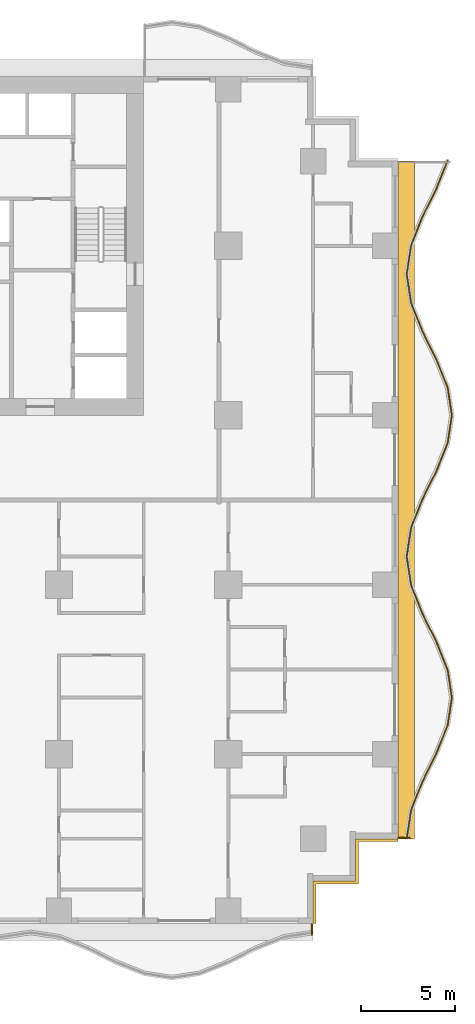
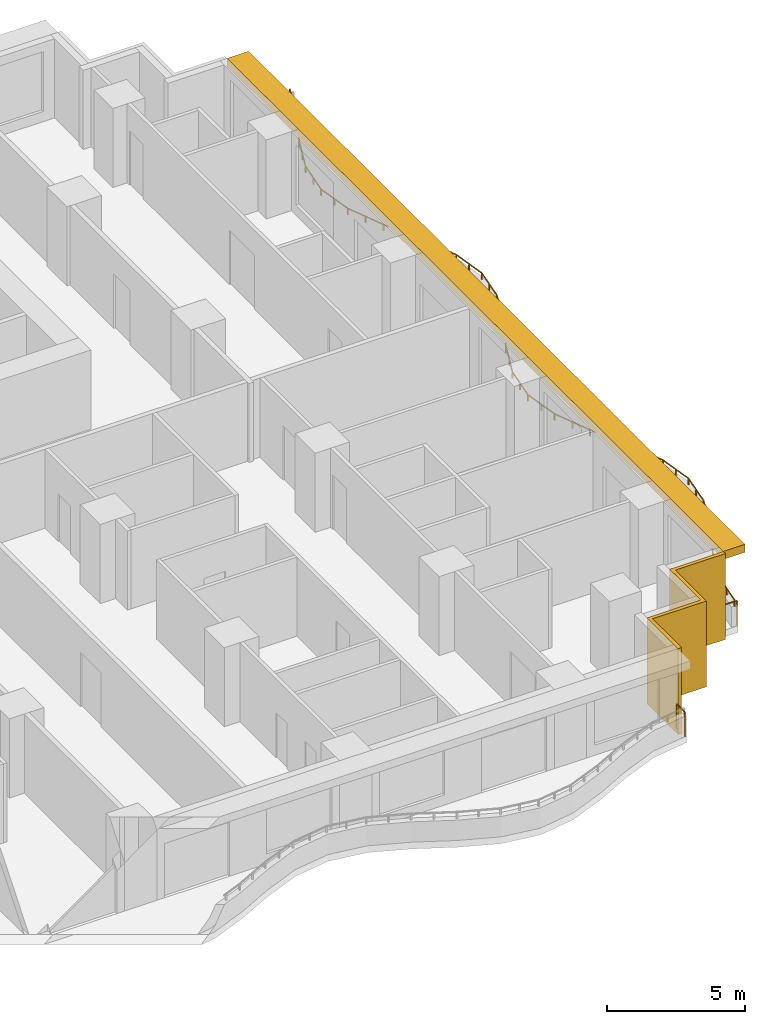
# One storey, part 10 of 13: 3 railings, 2 shading devices.
"""IFC4 building model written with IfcOpenShell, lengths in metres."""

import ifcopenshell
import ifcopenshell.guid

model = None  # the IFC model being written
_history = None  # IfcOwnerHistory: only IFC2X3 demands one
_inside = {}  # id of a spatial element -> (the spatial element, [elements in it])
_under = {}  # id of a project, library or spatial element -> (it, [spatial elements below it])
_declared = {}  # id of a project -> (the project, [libraries it declares])
_typed = {}  # id of a type object -> (the type object, [elements of that type])
_made_of = {}  # id of a material, layer set ... -> (it, [elements and type objects made of it])


def new_model(schema):
    """Start an empty IFC model of exactly this schema.

    Asked for "IFC4X3", IfcOpenShell would pick the latest addendum, in which some entities
    have other attributes; the version numbers below select the first issue.
    IFC2X3 requires an IfcOwnerHistory on every rooted entity: one is made here for all.
    """
    global model, _history
    if schema == "IFC4X3":
        model = ifcopenshell.file(schema_version=(4, 3, 0, 0))
    else:
        model = ifcopenshell.file(schema=schema)
    _inside.clear()
    _under.clear()
    _declared.clear()
    _typed.clear()
    _made_of.clear()
    _history = None
    if model.schema == "IFC2X3":
        org = make("IfcOrganization", Name="unknown")
        user = make(
            "IfcPersonAndOrganization",
            ThePerson=make("IfcPerson", FamilyName="unknown"),
            TheOrganization=org,
        )
        app = make(
            "IfcApplication",
            ApplicationDeveloper=org,
            Version="unknown",
            ApplicationFullName="unknown",
            ApplicationIdentifier="unknown",
        )
        _history = make(
            "IfcOwnerHistory",
            OwningUser=user,
            OwningApplication=app,
            ChangeAction="ADDED",
            CreationDate=0,
        )
    return model


def make(cls, **values):
    """One entity of the class cls with the attributes given. An attribute that is None is left unset."""
    return model.create_entity(
        cls, **{name: value for name, value in values.items() if value is not None}
    )


def rooted(cls, **values):
    """An entity with a GlobalId (a new one), such as an element, a storey or a relation."""
    return make(cls, GlobalId=ifcopenshell.guid.new(), OwnerHistory=_history, **values)


def si_unit(unit_type, name, prefix=None):
    """IfcSIUnit, for example si_unit("LENGTHUNIT", "METRE", prefix="MILLI")."""
    return make("IfcSIUnit", UnitType=unit_type, Prefix=prefix, Name=name)


def assignment(units):
    """IfcUnitAssignment: the units of a project."""
    return None if units is None else make("IfcUnitAssignment", Units=units)


def point(xyz):
    """IfcCartesianPoint."""
    return None if xyz is None else make("IfcCartesianPoint", Coordinates=xyz)


def direction(xyz):
    """IfcDirection."""
    return None if xyz is None else make("IfcDirection", DirectionRatios=xyz)


def frame(location, z_axis=None, x_axis=None):
    """IfcAxis2Placement3D, a coordinate frame: its origin and axes. An axis left out is left unset."""
    return make(
        "IfcAxis2Placement3D",
        Location=point(location),
        Axis=direction(z_axis),
        RefDirection=direction(x_axis),
    )


def frame_2d(location, x_axis=None):
    """IfcAxis2Placement2D, a coordinate frame in the plane: its origin and x axis."""
    return make(
        "IfcAxis2Placement2D", Location=point(location), RefDirection=direction(x_axis)
    )


def origin():
    """The frame at (0, 0, 0) with its axes left unset."""
    return frame((0.0, 0.0, 0.0))


def origin_2d():
    """The frame at (0, 0) in the plane with its x axis left unset."""
    return frame_2d((0.0, 0.0))


def place(relative_to, where):
    """IfcLocalPlacement: puts the frame where relative to a parent placement (None: the world)."""
    return make(
        "IfcLocalPlacement", PlacementRelTo=relative_to, RelativePlacement=where
    )


def context(
    kind, dimensions, precision=None, world=None, true_north=None, identifier=None
):
    """IfcGeometricRepresentationContext, for example the 3D "Model" context."""
    return make(
        "IfcGeometricRepresentationContext",
        ContextIdentifier=identifier,
        ContextType=kind,
        CoordinateSpaceDimension=dimensions,
        Precision=precision,
        WorldCoordinateSystem=world,
        TrueNorth=true_north,
    )


def subcontext(parent, identifier, kind, view, scale=None):
    """IfcGeometricRepresentationSubContext, for example "Body" below "Model"."""
    return make(
        "IfcGeometricRepresentationSubContext",
        ContextIdentifier=identifier,
        ContextType=kind,
        ParentContext=parent,
        TargetScale=scale,
        TargetView=view,
    )


def project(units=None, contexts=None):
    """IfcProject with its units and contexts."""
    return rooted(
        "IfcProject",
        Name="project",
        RepresentationContexts=contexts,
        UnitsInContext=assignment(units),
    )


def spatial(cls, under=None, at=None, **own):
    """A site, building, storey or space (cls), placed at a placement, below another one or the project."""
    s = rooted(cls, ObjectPlacement=at, **own)
    if under is not None:
        _under.setdefault(under.id(), (under, []))[1].append(s)
    return s


def polyline(points):
    """IfcPolyline through the points."""
    return make("IfcPolyline", Points=[point(p) for p in points])


def profile(cls, at=None, kind="AREA", **sizes):
    """A parametric profile (cls). Its sizes go by their IFC names, for example OverallWidth=200.0."""
    return make(cls, ProfileType=kind, Position=at, **sizes)


def rectangle(**sizes):
    """IfcRectangleProfileDef."""
    return profile("IfcRectangleProfileDef", **sizes)


def outline(outer, holes=None, kind="AREA"):
    """IfcArbitraryClosedProfileDef: a profile drawn as a closed curve; with holes, ...WithVoids."""
    if holes is None:
        return make("IfcArbitraryClosedProfileDef", ProfileType=kind, OuterCurve=outer)
    return make(
        "IfcArbitraryProfileDefWithVoids",
        ProfileType=kind,
        OuterCurve=outer,
        InnerCurves=holes,
    )


def extrude(swept, where, along, depth):
    """IfcExtrudedAreaSolid: the profile swept, set in the frame where, extruded along a direction by depth."""
    return make(
        "IfcExtrudedAreaSolid",
        SweptArea=swept,
        Position=where,
        ExtrudedDirection=direction(along),
        Depth=depth,
    )


def shape(context_of_items, identifier, shape_type, items):
    """IfcShapeRepresentation: the items that make up one representation, for example the "Body"."""
    return make(
        "IfcShapeRepresentation",
        ContextOfItems=context_of_items,
        RepresentationIdentifier=identifier,
        RepresentationType=shape_type,
        Items=items,
    )


def material(Name=None, Category=None):
    """IfcMaterial."""
    return make("IfcMaterial", Name=Name, Category=Category)


def layer(
    of_material, thickness, ventilated=None, Name=None, Category=None, Priority=None
):
    """IfcMaterialLayer: one layer of a wall or slab, of a material (None: an air gap)."""
    return make(
        "IfcMaterialLayer",
        Material=of_material,
        LayerThickness=thickness,
        IsVentilated=ventilated,
        Name=Name,
        Category=Category,
        Priority=Priority,
    )


def layer_set(layers, Name=None):
    """IfcMaterialLayerSet."""
    return make("IfcMaterialLayerSet", MaterialLayers=layers, LayerSetName=Name)


def made_of(thing, what):
    """Note that an element or type object is made of a material, layer set ...; save() writes the relation."""
    if what is not None:
        _made_of.setdefault(what.id(), (what, []))[1].append(thing)
    return thing


def type_object(cls, material=None, **own):
    """A type object (cls), such as IfcWallType, which elements share."""
    return made_of(rooted(cls, **own), material)


def element(
    cls,
    number,
    at=None,
    inside=None,
    cuts=None,
    type_object=None,
    material=None,
    context=None,
    identifier="Body",
    shape_type=None,
    held_by="IfcProductDefinitionShape",
    body=None,
    shapes=None,
    **own,
):
    """One element of the class cls, such as IfcWall. Its Tag is "e" and its number.

    at: its placement. inside: the storey or other place that contains it. cuts: it is an
    opening in that element (IfcRelVoidsElement). A single representation is given by context,
    identifier, shape_type and body (its items); several are given by shapes. held_by: the class
    of the entity that holds the representations. save() writes the other relations.
    """
    e = rooted(cls, Tag="e%d" % number, ObjectPlacement=at, **own)
    if body is not None:
        shapes = [shape(context, identifier, shape_type, body)]
    if shapes is not None:
        e.Representation = make(held_by, Representations=shapes)
    if inside is not None:
        _inside.setdefault(inside.id(), (inside, []))[1].append(e)
    if cuts is not None:
        rooted(
            "IfcRelVoidsElement", RelatingBuildingElement=cuts, RelatedOpeningElement=e
        )
    if type_object is not None:
        _typed.setdefault(type_object.id(), (type_object, []))[1].append(e)
    return made_of(e, material)


def aggregate(whole, parts):
    """IfcRelAggregates: a whole, such as a stair, and the parts it consists of."""
    return rooted("IfcRelAggregates", RelatingObject=whole, RelatedObjects=parts)


def save(model, path):
    """Write the relations noted so far, then the file.

    IfcRelAggregates (storeys below a building ...), IfcRelContainedInSpatialStructure (elements
    in a storey), IfcRelDefinesByType, IfcRelAssociatesMaterial and IfcRelDeclares: one each for
    every whole, place, type object, material and project.
    """
    for whole, parts in _under.values():
        aggregate(whole, parts)
    for where, things in _inside.values():
        rooted(
            "IfcRelContainedInSpatialStructure",
            RelatedElements=things,
            RelatingStructure=where,
        )
    for kind, things in _typed.values():
        rooted("IfcRelDefinesByType", RelatedObjects=things, RelatingType=kind)
    for what, things in _made_of.values():
        rooted("IfcRelAssociatesMaterial", RelatedObjects=things, RelatingMaterial=what)
    for by, libraries in _declared.values():
        rooted("IfcRelDeclares", RelatingContext=by, RelatedDefinitions=libraries)
    model.write(path)


model = new_model("IFC4")

# Units and contexts
model_context = context("Model", 3, precision=1e-05, world=origin(), true_north=direction((0.0, 1.0)))
body_context = subcontext(model_context, "Body", "Model", "MODEL_VIEW")
ifc_project = project(units=[si_unit("LENGTHUNIT", "METRE"), si_unit("AREAUNIT", "SQUARE_METRE"), si_unit("VOLUMEUNIT", "CUBIC_METRE"), si_unit("PLANEANGLEUNIT", "RADIAN"), si_unit("MASSUNIT", "GRAM", prefix="KILO")], contexts=[model_context])

# Site, building, storey
site_placement = place(None, origin())
site = spatial("IfcSite", under=ifc_project, at=site_placement, CompositionType="ELEMENT")
building_placement = place(site_placement, origin())
building = spatial("IfcBuilding", under=site, at=building_placement, Name="Orbiselva Terraces", CompositionType="ELEMENT")
storey_placement = place(building_placement, frame((0.0, 0.0, 69.4)))
storey = spatial("IfcBuildingStorey", under=building, at=storey_placement, Name="L17", CompositionType="ELEMENT", Elevation=69.4)

# Railings
ifc_material_1 = material(Name="Bonded two-ply safety glass balustrade, stainless steel posts", Category="steel")
railing_type_1 = type_object("IfcRailingType", Name="ENV-BALUSTRADE-1200", PredefinedType="BALUSTRADE", material=ifc_material_1)
railing_1_placement = place(storey_placement, frame((27.476434, -17.981121, 0.9)))
element("IfcRailing", 1, at=railing_1_placement, inside=storey, type_object=railing_type_1, Name="Balcony balustrade L17 E", PredefinedType="BALUSTRADE", context=body_context, shape_type="SweptSolid", body=[
    extrude(outline(polyline([(0.028868, 0.0), (0.014434, 0.025), (-0.014434, 0.025), (-0.028868, 0.0), (-0.014434, -0.025), (0.014434, -0.025), (0.028868, 0.0)])), frame((0.0, 0.0, 0.275), z_axis=(0.151033869252, 0.988528588529, 0.0), x_axis=(-0.988528588529, 0.151033869252, 0.0)), (0.0, 0.0, 1.0), 1.531776),
    extrude(outline(polyline([(0.028868, 0.0), (0.014434, 0.025), (-0.014434, 0.025), (-0.028868, 0.0), (-0.014434, -0.025), (0.014434, -0.025), (0.028868, 0.0)])), frame((0.23135, 1.514204, 0.275), z_axis=(0.371390359967, 0.92847681744, 0.0), x_axis=(-0.92847681744, 0.371390359967, 0.0)), (0.0, 0.0, 1.0), 1.634838),
    extrude(outline(polyline([(0.028868, 0.0), (0.014434, 0.025), (-0.014434, 0.025), (-0.028868, 0.0), (-0.014434, -0.025), (0.014434, -0.025), (0.028868, 0.0)])), frame((0.838513, 3.032113, 0.275), z_axis=(0.443212307306, 0.896416672454, 0.0), x_axis=(-0.896416672454, 0.443212307306, 0.0)), (0.0, 0.0, 1.0), 1.673329),
    extrude(outline(polyline([(0.028868, 0.0), (0.014434, 0.025), (-0.014434, 0.025), (-0.028868, 0.0), (-0.014434, -0.025), (0.014434, -0.025), (0.028868, 0.0)])), frame((1.580153, 4.532113, 0.275), z_axis=(0.371391000387, 0.928476561272, 0.0), x_axis=(-0.928476561272, 0.371391000387, 0.0)), (0.0, 0.0, 1.0), 1.596261),
    extrude(outline(polyline([(0.028868, 0.0), (0.014434, 0.025), (-0.014434, 0.025), (-0.028868, 0.0), (-0.014434, -0.025), (0.014434, -0.025), (0.028868, 0.0)])), frame((2.17299, 6.014204, 0.275), z_axis=(0.151033749027, 0.988528606898, 0.0), x_axis=(-0.988528606898, 0.151033749027, 0.0)), (0.0, 0.0, 1.0), 1.48394),
    extrude(outline(polyline([(0.028868, 0.0), (0.014434, 0.025), (-0.014434, 0.025), (-0.028868, 0.0), (-0.014434, -0.025), (0.014434, -0.025), (0.028868, 0.0)])), frame((2.397115, 7.481121, 0.275), z_axis=(-0.151033749027, 0.988528606898, 0.0), x_axis=(-0.988528606898, -0.151033749027, 0.0)), (0.0, 0.0, 1.0), 1.48394),
    extrude(outline(polyline([(0.028868, 0.0), (0.014434, 0.025), (-0.014434, 0.025), (-0.028868, 0.0), (-0.014434, -0.025), (0.014434, -0.025), (0.028868, 0.0)])), frame((2.17299, 8.948038, 0.275), z_axis=(-0.371391000387, 0.928476561272, 0.0), x_axis=(-0.928476561272, -0.371391000387, 0.0)), (0.0, 0.0, 1.0), 1.596261),
    extrude(outline(polyline([(0.028868, 0.0), (0.014434, 0.025), (-0.014434, 0.025), (-0.028868, 0.0), (-0.014434, -0.025), (0.014434, -0.025), (0.028868, 0.0)])), frame((1.580153, 10.430129, 0.275), z_axis=(-0.443212307306, 0.896416672454, 0.0), x_axis=(-0.896416672454, -0.443212307306, 0.0)), (0.0, 0.0, 1.0), 1.673329),
    extrude(outline(polyline([(0.028868, 0.0), (0.014434, 0.025), (-0.014434, 0.025), (-0.028868, 0.0), (-0.014434, -0.025), (0.014434, -0.025), (0.028868, 0.0)])), frame((0.838513, 11.930129, 0.275), z_axis=(-0.371390359967, 0.92847681744, 0.0), x_axis=(-0.92847681744, -0.371390359967, 0.0)), (0.0, 0.0, 1.0), 1.634838),
    extrude(outline(polyline([(0.028868, 0.0), (0.014434, 0.025), (-0.014434, 0.025), (-0.028868, 0.0), (-0.014434, -0.025), (0.014434, -0.025), (0.028868, 0.0)])), frame((0.23135, 13.448038, 0.275), z_axis=(-0.151034211256, 0.988528536275, 0.0), x_axis=(-0.988528536275, -0.151034211256, 0.0)), (0.0, 0.0, 1.0), 1.550874),
    extrude(outline(polyline([(0.028868, 0.0), (0.014434, 0.025), (-0.014434, 0.025), (-0.028868, 0.0), (-0.014434, -0.025), (0.014434, -0.025), (0.028868, 0.0)])), frame((-0.002885, 14.981121, 0.275), z_axis=(0.151034211256, 0.988528536275, 0.0), x_axis=(-0.988528536275, 0.151034211256, 0.0)), (0.0, 0.0, 1.0), 1.550874),
    extrude(outline(polyline([(0.028868, 0.0), (0.014434, 0.025), (-0.014434, 0.025), (-0.028868, 0.0), (-0.014434, -0.025), (0.014434, -0.025), (0.028868, 0.0)])), frame((0.23135, 16.514204, 0.275), z_axis=(0.371390359967, 0.92847681744, 0.0), x_axis=(-0.92847681744, 0.371390359967, 0.0)), (0.0, 0.0, 1.0), 1.634838),
    extrude(outline(polyline([(0.028868, 0.0), (0.014434, 0.025), (-0.014434, 0.025), (-0.028868, 0.0), (-0.014434, -0.025), (0.014434, -0.025), (0.028868, 0.0)])), frame((0.838513, 18.032113, 0.275), z_axis=(0.443212307306, 0.896416672454, 0.0), x_axis=(-0.896416672454, 0.443212307306, 0.0)), (0.0, 0.0, 1.0), 1.673329),
    extrude(outline(polyline([(0.028868, 0.0), (0.014434, 0.025), (-0.014434, 0.025), (-0.028868, 0.0), (-0.014434, -0.025), (0.014434, -0.025), (0.028868, 0.0)])), frame((1.580153, 19.532113, 0.275), z_axis=(0.371391000387, 0.928476561272, 0.0), x_axis=(-0.928476561272, 0.371391000387, 0.0)), (0.0, 0.0, 1.0), 1.596261),
    extrude(outline(polyline([(0.028868, 0.0), (0.014434, 0.025), (-0.014434, 0.025), (-0.028868, 0.0), (-0.014434, -0.025), (0.014434, -0.025), (0.028868, 0.0)])), frame((2.17299, 21.014204, 0.275), z_axis=(0.151033749027, 0.988528606898, 0.0), x_axis=(-0.988528606898, 0.151033749027, 0.0)), (0.0, 0.0, 1.0), 1.48394),
    extrude(outline(polyline([(0.028868, 0.0), (0.014434, 0.025), (-0.014434, 0.025), (-0.028868, 0.0), (-0.014434, -0.025), (0.014434, -0.025), (0.028868, 0.0)])), frame((2.397115, 22.481121, 0.275), z_axis=(-0.151033749027, 0.988528606898, 0.0), x_axis=(-0.988528606898, -0.151033749027, 0.0)), (0.0, 0.0, 1.0), 1.48394),
    extrude(outline(polyline([(0.028868, 0.0), (0.014434, 0.025), (-0.014434, 0.025), (-0.028868, 0.0), (-0.014434, -0.025), (0.014434, -0.025), (0.028868, 0.0)])), frame((2.17299, 23.948038, 0.275), z_axis=(-0.371391000387, 0.928476561272, 0.0), x_axis=(-0.928476561272, -0.371391000387, 0.0)), (0.0, 0.0, 1.0), 1.596261),
    extrude(outline(polyline([(0.028868, 0.0), (0.014434, 0.025), (-0.014434, 0.025), (-0.028868, 0.0), (-0.014434, -0.025), (0.014434, -0.025), (0.028868, 0.0)])), frame((1.580153, 25.430129, 0.275), z_axis=(-0.443212307306, 0.896416672454, 0.0), x_axis=(-0.896416672454, -0.443212307306, 0.0)), (0.0, 0.0, 1.0), 1.673329),
    extrude(outline(polyline([(0.028868, 0.0), (0.014434, 0.025), (-0.014434, 0.025), (-0.028868, 0.0), (-0.014434, -0.025), (0.014434, -0.025), (0.028868, 0.0)])), frame((0.838513, 26.930129, 0.275), z_axis=(-0.371390359967, 0.92847681744, 0.0), x_axis=(-0.92847681744, -0.371390359967, 0.0)), (0.0, 0.0, 1.0), 1.634838),
    extrude(outline(polyline([(0.028868, 0.0), (0.014434, 0.025), (-0.014434, 0.025), (-0.028868, 0.0), (-0.014434, -0.025), (0.014434, -0.025), (0.028868, 0.0)])), frame((0.23135, 28.448038, 0.275), z_axis=(-0.151034211256, 0.988528536275, 0.0), x_axis=(-0.988528536275, -0.151034211256, 0.0)), (0.0, 0.0, 1.0), 1.550874),
    extrude(outline(polyline([(0.028868, 0.0), (0.014434, 0.025), (-0.014434, 0.025), (-0.028868, 0.0), (-0.014434, -0.025), (0.014434, -0.025), (0.028868, 0.0)])), frame((-0.002885, 29.981121, 0.275), z_axis=(0.151034211256, 0.988528536275, 0.0), x_axis=(-0.988528536275, 0.151034211256, 0.0)), (0.0, 0.0, 1.0), 1.550874),
    extrude(outline(polyline([(0.028868, 0.0), (0.014434, 0.025), (-0.014434, 0.025), (-0.028868, 0.0), (-0.014434, -0.025), (0.014434, -0.025), (0.028868, 0.0)])), frame((0.23135, 31.514204, 0.275), z_axis=(0.371390359967, 0.92847681744, 0.0), x_axis=(-0.92847681744, 0.371390359967, 0.0)), (0.0, 0.0, 1.0), 1.634838),
    extrude(outline(polyline([(0.028868, 0.0), (0.014434, 0.025), (-0.014434, 0.025), (-0.028868, 0.0), (-0.014434, -0.025), (0.014434, -0.025), (0.028868, 0.0)])), frame((0.838513, 33.032113, 0.275), z_axis=(0.443212307306, 0.896416672454, 0.0), x_axis=(-0.896416672454, 0.443212307306, 0.0)), (0.0, 0.0, 1.0), 1.673329),
    extrude(outline(polyline([(0.028868, 0.0), (0.014434, 0.025), (-0.014434, 0.025), (-0.028868, 0.0), (-0.014434, -0.025), (0.014434, -0.025), (0.028868, 0.0)])), frame((1.580153, 34.532113, 0.275), z_axis=(0.371390783402, 0.928476648066, 0.0), x_axis=(-0.928476648066, 0.371390783402, 0.0)), (0.0, 0.0, 1.0), 1.61063),
    extrude(rectangle(XDim=0.05, YDim=0.05, at=origin_2d()), origin(), (0.0, 0.0, 1.0), 0.25),
    extrude(rectangle(XDim=0.05, YDim=0.05, at=origin_2d()), frame((0.115675, 0.757102, 0.0)), (0.0, 0.0, 1.0), 0.25),
    extrude(rectangle(XDim=0.05, YDim=0.05, at=origin_2d()), frame((0.23135, 1.514204, 0.0)), (0.0, 0.0, 1.0), 0.25),
    extrude(rectangle(XDim=0.05, YDim=0.05, at=origin_2d()), frame((0.534931, 2.273159, 0.0)), (0.0, 0.0, 1.0), 0.25),
    extrude(rectangle(XDim=0.05, YDim=0.05, at=origin_2d()), frame((0.838513, 3.032113, 0.0)), (0.0, 0.0, 1.0), 0.25),
    extrude(rectangle(XDim=0.05, YDim=0.05, at=origin_2d()), frame((1.209333, 3.782113, 0.0)), (0.0, 0.0, 1.0), 0.25),
    extrude(rectangle(XDim=0.05, YDim=0.05, at=origin_2d()), frame((1.580153, 4.532113, 0.0)), (0.0, 0.0, 1.0), 0.25),
    extrude(rectangle(XDim=0.05, YDim=0.05, at=origin_2d()), frame((1.876571, 5.273159, 0.0)), (0.0, 0.0, 1.0), 0.25),
    extrude(rectangle(XDim=0.05, YDim=0.05, at=origin_2d()), frame((2.17299, 6.014204, 0.0)), (0.0, 0.0, 1.0), 0.25),
    extrude(rectangle(XDim=0.05, YDim=0.05, at=origin_2d()), frame((2.285052, 6.747663, 0.0)), (0.0, 0.0, 1.0), 0.25),
    extrude(rectangle(XDim=0.05, YDim=0.05, at=origin_2d()), frame((2.397115, 7.481121, 0.0)), (0.0, 0.0, 1.0), 0.25),
    extrude(rectangle(XDim=0.05, YDim=0.05, at=origin_2d()), frame((2.285052, 8.21458, 0.0)), (0.0, 0.0, 1.0), 0.25),
    extrude(rectangle(XDim=0.05, YDim=0.05, at=origin_2d()), frame((2.17299, 8.948038, 0.0)), (0.0, 0.0, 1.0), 0.25),
    extrude(rectangle(XDim=0.05, YDim=0.05, at=origin_2d()), frame((1.876571, 9.689084, 0.0)), (0.0, 0.0, 1.0), 0.25),
    extrude(rectangle(XDim=0.05, YDim=0.05, at=origin_2d()), frame((1.580153, 10.430129, 0.0)), (0.0, 0.0, 1.0), 0.25),
    extrude(rectangle(XDim=0.05, YDim=0.05, at=origin_2d()), frame((1.209333, 11.180129, 0.0)), (0.0, 0.0, 1.0), 0.25),
    extrude(rectangle(XDim=0.05, YDim=0.05, at=origin_2d()), frame((0.838513, 11.930129, 0.0)), (0.0, 0.0, 1.0), 0.25),
    extrude(rectangle(XDim=0.05, YDim=0.05, at=origin_2d()), frame((0.534931, 12.689084, 0.0)), (0.0, 0.0, 1.0), 0.25),
    extrude(rectangle(XDim=0.05, YDim=0.05, at=origin_2d()), frame((0.23135, 13.448038, 0.0)), (0.0, 0.0, 1.0), 0.25),
    extrude(rectangle(XDim=0.05, YDim=0.05, at=origin_2d()), frame((0.114232, 14.21458, 0.0)), (0.0, 0.0, 1.0), 0.25),
    extrude(rectangle(XDim=0.05, YDim=0.05, at=origin_2d()), frame((-0.002885, 14.981121, 0.0)), (0.0, 0.0, 1.0), 0.25),
    extrude(rectangle(XDim=0.05, YDim=0.05, at=origin_2d()), frame((0.114232, 15.747663, 0.0)), (0.0, 0.0, 1.0), 0.25),
    extrude(rectangle(XDim=0.05, YDim=0.05, at=origin_2d()), frame((0.23135, 16.514204, 0.0)), (0.0, 0.0, 1.0), 0.25),
    extrude(rectangle(XDim=0.05, YDim=0.05, at=origin_2d()), frame((0.534931, 17.273158, 0.0)), (0.0, 0.0, 1.0), 0.25),
    extrude(rectangle(XDim=0.05, YDim=0.05, at=origin_2d()), frame((0.838513, 18.032113, 0.0)), (0.0, 0.0, 1.0), 0.25),
    extrude(rectangle(XDim=0.05, YDim=0.05, at=origin_2d()), frame((1.209333, 18.782113, 0.0)), (0.0, 0.0, 1.0), 0.25),
    extrude(rectangle(XDim=0.05, YDim=0.05, at=origin_2d()), frame((1.580153, 19.532113, 0.0)), (0.0, 0.0, 1.0), 0.25),
    extrude(rectangle(XDim=0.05, YDim=0.05, at=origin_2d()), frame((1.876571, 20.273158, 0.0)), (0.0, 0.0, 1.0), 0.25),
    extrude(rectangle(XDim=0.05, YDim=0.05, at=origin_2d()), frame((2.17299, 21.014204, 0.0)), (0.0, 0.0, 1.0), 0.25),
    extrude(rectangle(XDim=0.05, YDim=0.05, at=origin_2d()), frame((2.285052, 21.747663, 0.0)), (0.0, 0.0, 1.0), 0.25),
    extrude(rectangle(XDim=0.05, YDim=0.05, at=origin_2d()), frame((2.397115, 22.481121, 0.0)), (0.0, 0.0, 1.0), 0.25),
    extrude(rectangle(XDim=0.05, YDim=0.05, at=origin_2d()), frame((2.285052, 23.21458, 0.0)), (0.0, 0.0, 1.0), 0.25),
    extrude(rectangle(XDim=0.05, YDim=0.05, at=origin_2d()), frame((2.17299, 23.948038, 0.0)), (0.0, 0.0, 1.0), 0.25),
    extrude(rectangle(XDim=0.05, YDim=0.05, at=origin_2d()), frame((1.876571, 24.689084, 0.0)), (0.0, 0.0, 1.0), 0.25),
    extrude(rectangle(XDim=0.05, YDim=0.05, at=origin_2d()), frame((1.580153, 25.430129, 0.0)), (0.0, 0.0, 1.0), 0.25),
    extrude(rectangle(XDim=0.05, YDim=0.05, at=origin_2d()), frame((1.209333, 26.180129, 0.0)), (0.0, 0.0, 1.0), 0.25),
    extrude(rectangle(XDim=0.05, YDim=0.05, at=origin_2d()), frame((0.838513, 26.930129, 0.0)), (0.0, 0.0, 1.0), 0.25),
    extrude(rectangle(XDim=0.05, YDim=0.05, at=origin_2d()), frame((0.534931, 27.689084, 0.0)), (0.0, 0.0, 1.0), 0.25),
    extrude(rectangle(XDim=0.05, YDim=0.05, at=origin_2d()), frame((0.23135, 28.448038, 0.0)), (0.0, 0.0, 1.0), 0.25),
    extrude(rectangle(XDim=0.05, YDim=0.05, at=origin_2d()), frame((0.114232, 29.21458, 0.0)), (0.0, 0.0, 1.0), 0.25),
    extrude(rectangle(XDim=0.05, YDim=0.05, at=origin_2d()), frame((-0.002885, 29.981121, 0.0)), (0.0, 0.0, 1.0), 0.25),
    extrude(rectangle(XDim=0.05, YDim=0.05, at=origin_2d()), frame((0.114232, 30.747662, 0.0)), (0.0, 0.0, 1.0), 0.25),
    extrude(rectangle(XDim=0.05, YDim=0.05, at=origin_2d()), frame((0.23135, 31.514204, 0.0)), (0.0, 0.0, 1.0), 0.25),
    extrude(rectangle(XDim=0.05, YDim=0.05, at=origin_2d()), frame((0.534931, 32.273158, 0.0)), (0.0, 0.0, 1.0), 0.25),
    extrude(rectangle(XDim=0.05, YDim=0.05, at=origin_2d()), frame((0.838513, 33.032113, 0.0)), (0.0, 0.0, 1.0), 0.25),
    extrude(rectangle(XDim=0.05, YDim=0.05, at=origin_2d()), frame((1.209333, 33.782113, 0.0)), (0.0, 0.0, 1.0), 0.25),
    extrude(rectangle(XDim=0.05, YDim=0.05, at=origin_2d()), frame((1.580153, 34.532113, 0.0)), (0.0, 0.0, 1.0), 0.25),
    extrude(rectangle(XDim=0.05, YDim=0.05, at=origin_2d()), frame((1.879239, 35.279829, 0.0)), (0.0, 0.0, 1.0), 0.25),
    extrude(rectangle(XDim=0.05, YDim=0.05, at=origin_2d()), frame((2.178326, 36.027545, 0.0)), (0.0, 0.0, 1.0), 0.25),
])
ifc_material_2 = material(Name="Stainless steel rail and posts", Category="steel")
railing_type_2 = type_object("IfcRailingType", Name="ENV-GUARD-1105", PredefinedType="BALUSTRADE", material=ifc_material_2)
railing_2_placement = place(storey_placement, frame((22.44, -23.100379, 0.0)))
element("IfcRailing", 2, at=railing_2_placement, inside=storey, type_object=railing_type_2, Name="Balcony end guard L17 S", PredefinedType="BALUSTRADE", context=body_context, shape_type="SweptSolid", body=[
    extrude(outline(polyline([(0.028868, 0.0), (0.014434, 0.025), (-0.014434, 0.025), (-0.028868, 0.0), (-0.014434, -0.025), (0.014434, -0.025), (0.028868, 0.0)])), frame((0.0, 0.0, 1.08), z_axis=(0.0, 1.0, 0.0), x_axis=(-1.0, 0.0, 0.0)), (0.0, 0.0, 1.0), 0.575379),
    extrude(rectangle(XDim=0.05, YDim=0.05, at=origin_2d()), origin(), (0.0, 0.0, 1.0), 1.055),
    extrude(rectangle(XDim=0.05, YDim=0.05, at=origin_2d()), frame((0.0, 0.575379, 0.0)), (0.0, 0.0, 1.0), 1.055),
])
railing_3_placement = place(storey_placement, frame((27.600379, -17.94, 0.0)))
element("IfcRailing", 3, at=railing_3_placement, inside=storey, type_object=railing_type_2, Name="Balcony end guard L17 E", PredefinedType="BALUSTRADE", context=body_context, shape_type="SweptSolid", body=[
    extrude(outline(polyline([(0.028868, 0.0), (0.014434, 0.025), (-0.014434, 0.025), (-0.028868, 0.0), (-0.014434, -0.025), (0.014434, -0.025), (0.028868, 0.0)])), frame((0.0, 0.0, 1.08), z_axis=(-1.0, 0.0, 0.0), x_axis=(0.0, -1.0, 0.0)), (0.0, 0.0, 1.0), 0.575379),
    extrude(rectangle(XDim=0.05, YDim=0.05, at=origin_2d()), origin(), (0.0, 0.0, 1.0), 1.055),
    extrude(rectangle(XDim=0.05, YDim=0.05, at=origin_2d()), frame((-0.575379, 0.0, 0.0)), (0.0, 0.0, 1.0), 1.055),
])

# Shading devices
ifc_material_3 = material(Name="Terracotta louvre screen", Category="masonry")
ifc_layer_1 = layer(ifc_material_3, 0.15)
ifc_layer_set_1 = layer_set([ifc_layer_1], Name="Terracotta louvre screen")
shading_device_type_1 = type_object("IfcShadingDeviceType", Name="ENV-SCREEN-150", PredefinedType="USERDEFINED", material=ifc_layer_set_1)
shading_device_1_placement = place(storey_placement, frame((0.0, 0.0, -0.3)))
element("IfcShadingDevice", 4, at=shading_device_1_placement, inside=storey, type_object=shading_device_type_1, Name="Louvre screen L17 SE", ObjectType="SCREEN", PredefinedType="USERDEFINED", context=body_context, shape_type="SweptSolid", body=[
    extrude(outline(polyline([(22.65, -22.5), (22.65, -20.4), (24.9, -20.4), (24.9, -18.15), (27.0, -18.15), (27.0, -18.0), (24.75, -18.0), (24.75, -20.25), (22.5, -20.25), (22.5, -22.5), (22.65, -22.5)])), origin(), (0.0, 0.0, 1.0), 3.8),
])
ifc_material_4 = material(Name="Terracotta baguette sunshade", Category="masonry")
ifc_layer_2 = layer(ifc_material_4, 0.35)
ifc_layer_set_2 = layer_set([ifc_layer_2], Name="Terracotta baguette sunshade")
shading_device_type_2 = type_object("IfcShadingDeviceType", Name="ENV-SUNSHADE-900x350", PredefinedType="USERDEFINED", material=ifc_layer_set_2)
shading_device_2_placement = place(storey_placement, frame((0.0, 0.0, 3.15)))
element("IfcShadingDevice", 5, at=shading_device_2_placement, inside=storey, type_object=shading_device_type_2, Name="Sunshade band L17 E", ObjectType="SUNSHADE", PredefinedType="USERDEFINED", context=body_context, shape_type="SweptSolid", body=[
    extrude(outline(polyline([(27.9, -18.0), (27.9, 18.0), (27.0, 18.0), (27.0, -18.0), (27.9, -18.0)])), origin(), (0.0, 0.0, 1.0), 0.35),
])

save(model, "model.ifc")
